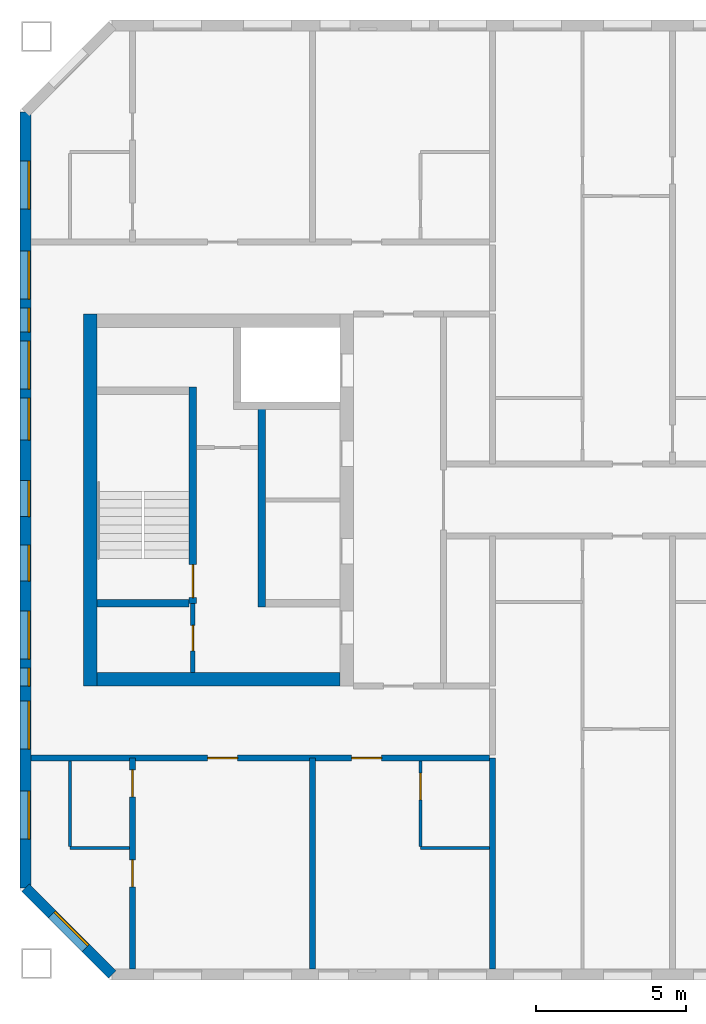
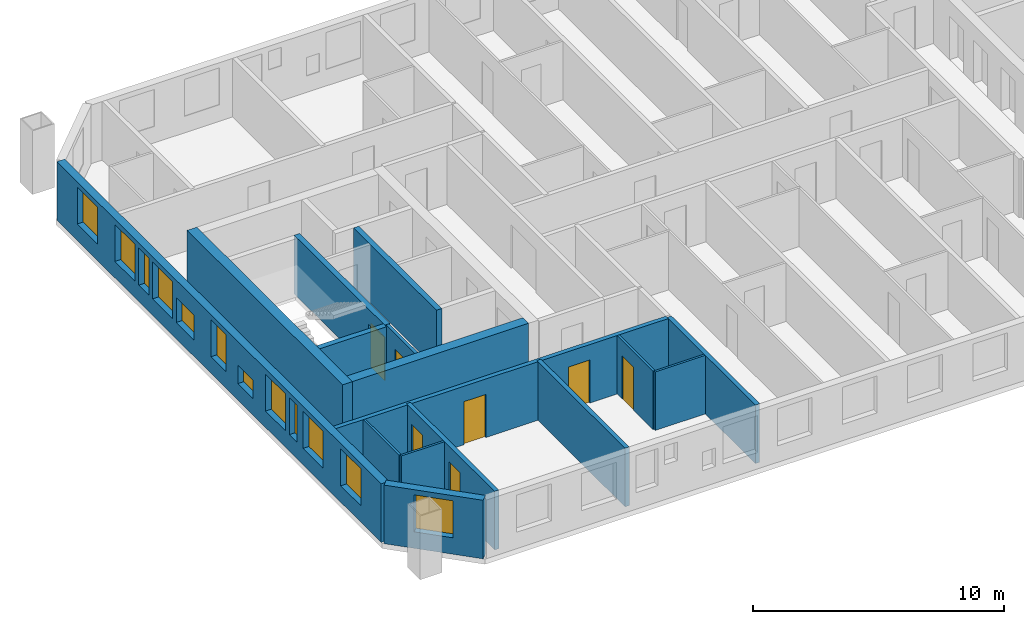
# One storey, part 2 of 16: 16 walls, 12 windows, 7 doors, 19 openings.
"""IFC4 building model written with IfcOpenShell, lengths in metres."""

import ifcopenshell
import ifcopenshell.guid

model = None  # the IFC model being written
_history = None  # IfcOwnerHistory: only IFC2X3 demands one
_inside = {}  # id of a spatial element -> (the spatial element, [elements in it])
_under = {}  # id of a project, library or spatial element -> (it, [spatial elements below it])
_declared = {}  # id of a project -> (the project, [libraries it declares])
_typed = {}  # id of a type object -> (the type object, [elements of that type])
_made_of = {}  # id of a material, layer set ... -> (it, [elements and type objects made of it])


def new_model(schema):
    """Start an empty IFC model of exactly this schema.

    Asked for "IFC4X3", IfcOpenShell would pick the latest addendum, in which some entities
    have other attributes; the version numbers below select the first issue.
    IFC2X3 requires an IfcOwnerHistory on every rooted entity: one is made here for all.
    """
    global model, _history
    if schema == "IFC4X3":
        model = ifcopenshell.file(schema_version=(4, 3, 0, 0))
    else:
        model = ifcopenshell.file(schema=schema)
    _inside.clear()
    _under.clear()
    _declared.clear()
    _typed.clear()
    _made_of.clear()
    _history = None
    if model.schema == "IFC2X3":
        org = make("IfcOrganization", Name="unknown")
        user = make(
            "IfcPersonAndOrganization",
            ThePerson=make("IfcPerson", FamilyName="unknown"),
            TheOrganization=org,
        )
        app = make(
            "IfcApplication",
            ApplicationDeveloper=org,
            Version="unknown",
            ApplicationFullName="unknown",
            ApplicationIdentifier="unknown",
        )
        _history = make(
            "IfcOwnerHistory",
            OwningUser=user,
            OwningApplication=app,
            ChangeAction="ADDED",
            CreationDate=0,
        )
    return model


def make(cls, **values):
    """One entity of the class cls with the attributes given. An attribute that is None is left unset."""
    return model.create_entity(
        cls, **{name: value for name, value in values.items() if value is not None}
    )


def rooted(cls, **values):
    """An entity with a GlobalId (a new one), such as an element, a storey or a relation."""
    return make(cls, GlobalId=ifcopenshell.guid.new(), OwnerHistory=_history, **values)


def si_unit(unit_type, name, prefix=None):
    """IfcSIUnit, for example si_unit("LENGTHUNIT", "METRE", prefix="MILLI")."""
    return make("IfcSIUnit", UnitType=unit_type, Prefix=prefix, Name=name)


def assignment(units):
    """IfcUnitAssignment: the units of a project."""
    return None if units is None else make("IfcUnitAssignment", Units=units)


def point(xyz):
    """IfcCartesianPoint."""
    return None if xyz is None else make("IfcCartesianPoint", Coordinates=xyz)


def direction(xyz):
    """IfcDirection."""
    return None if xyz is None else make("IfcDirection", DirectionRatios=xyz)


def frame(location, z_axis=None, x_axis=None):
    """IfcAxis2Placement3D, a coordinate frame: its origin and axes. An axis left out is left unset."""
    return make(
        "IfcAxis2Placement3D",
        Location=point(location),
        Axis=direction(z_axis),
        RefDirection=direction(x_axis),
    )


def frame_2d(location, x_axis=None):
    """IfcAxis2Placement2D, a coordinate frame in the plane: its origin and x axis."""
    return make(
        "IfcAxis2Placement2D", Location=point(location), RefDirection=direction(x_axis)
    )


def origin():
    """The frame at (0, 0, 0) with its axes left unset."""
    return frame((0.0, 0.0, 0.0))


def place(relative_to, where):
    """IfcLocalPlacement: puts the frame where relative to a parent placement (None: the world)."""
    return make(
        "IfcLocalPlacement", PlacementRelTo=relative_to, RelativePlacement=where
    )


def context(
    kind, dimensions, precision=None, world=None, true_north=None, identifier=None
):
    """IfcGeometricRepresentationContext, for example the 3D "Model" context."""
    return make(
        "IfcGeometricRepresentationContext",
        ContextIdentifier=identifier,
        ContextType=kind,
        CoordinateSpaceDimension=dimensions,
        Precision=precision,
        WorldCoordinateSystem=world,
        TrueNorth=true_north,
    )


def subcontext(parent, identifier, kind, view, scale=None):
    """IfcGeometricRepresentationSubContext, for example "Body" below "Model"."""
    return make(
        "IfcGeometricRepresentationSubContext",
        ContextIdentifier=identifier,
        ContextType=kind,
        ParentContext=parent,
        TargetScale=scale,
        TargetView=view,
    )


def project(units=None, contexts=None):
    """IfcProject with its units and contexts."""
    return rooted(
        "IfcProject",
        Name="project",
        RepresentationContexts=contexts,
        UnitsInContext=assignment(units),
    )


def spatial(cls, under=None, at=None, **own):
    """A site, building, storey or space (cls), placed at a placement, below another one or the project."""
    s = rooted(cls, ObjectPlacement=at, **own)
    if under is not None:
        _under.setdefault(under.id(), (under, []))[1].append(s)
    return s


def profile(cls, at=None, kind="AREA", **sizes):
    """A parametric profile (cls). Its sizes go by their IFC names, for example OverallWidth=200.0."""
    return make(cls, ProfileType=kind, Position=at, **sizes)


def rectangle(**sizes):
    """IfcRectangleProfileDef."""
    return profile("IfcRectangleProfileDef", **sizes)


def extrude(swept, where, along, depth):
    """IfcExtrudedAreaSolid: the profile swept, set in the frame where, extruded along a direction by depth."""
    return make(
        "IfcExtrudedAreaSolid",
        SweptArea=swept,
        Position=where,
        ExtrudedDirection=direction(along),
        Depth=depth,
    )


def shape(context_of_items, identifier, shape_type, items):
    """IfcShapeRepresentation: the items that make up one representation, for example the "Body"."""
    return make(
        "IfcShapeRepresentation",
        ContextOfItems=context_of_items,
        RepresentationIdentifier=identifier,
        RepresentationType=shape_type,
        Items=items,
    )


def material(Name=None, Category=None):
    """IfcMaterial."""
    return make("IfcMaterial", Name=Name, Category=Category)


def layer(
    of_material, thickness, ventilated=None, Name=None, Category=None, Priority=None
):
    """IfcMaterialLayer: one layer of a wall or slab, of a material (None: an air gap)."""
    return make(
        "IfcMaterialLayer",
        Material=of_material,
        LayerThickness=thickness,
        IsVentilated=ventilated,
        Name=Name,
        Category=Category,
        Priority=Priority,
    )


def layer_set(layers, Name=None):
    """IfcMaterialLayerSet."""
    return make("IfcMaterialLayerSet", MaterialLayers=layers, LayerSetName=Name)


def made_of(thing, what):
    """Note that an element or type object is made of a material, layer set ...; save() writes the relation."""
    if what is not None:
        _made_of.setdefault(what.id(), (what, []))[1].append(thing)
    return thing


def type_object(cls, material=None, **own):
    """A type object (cls), such as IfcWallType, which elements share."""
    return made_of(rooted(cls, **own), material)


def element(
    cls,
    number,
    at=None,
    inside=None,
    cuts=None,
    type_object=None,
    material=None,
    context=None,
    identifier="Body",
    shape_type=None,
    held_by="IfcProductDefinitionShape",
    body=None,
    shapes=None,
    **own,
):
    """One element of the class cls, such as IfcWall. Its Tag is "e" and its number.

    at: its placement. inside: the storey or other place that contains it. cuts: it is an
    opening in that element (IfcRelVoidsElement). A single representation is given by context,
    identifier, shape_type and body (its items); several are given by shapes. held_by: the class
    of the entity that holds the representations. save() writes the other relations.
    """
    e = rooted(cls, Tag="e%d" % number, ObjectPlacement=at, **own)
    if body is not None:
        shapes = [shape(context, identifier, shape_type, body)]
    if shapes is not None:
        e.Representation = make(held_by, Representations=shapes)
    if inside is not None:
        _inside.setdefault(inside.id(), (inside, []))[1].append(e)
    if cuts is not None:
        rooted(
            "IfcRelVoidsElement", RelatingBuildingElement=cuts, RelatedOpeningElement=e
        )
    if type_object is not None:
        _typed.setdefault(type_object.id(), (type_object, []))[1].append(e)
    return made_of(e, material)


def fill(opening, filler):
    """IfcRelFillsElement: the door or window that sits in an opening."""
    return rooted(
        "IfcRelFillsElement",
        RelatingOpeningElement=opening,
        RelatedBuildingElement=filler,
    )


def aggregate(whole, parts):
    """IfcRelAggregates: a whole, such as a stair, and the parts it consists of."""
    return rooted("IfcRelAggregates", RelatingObject=whole, RelatedObjects=parts)


def save(model, path):
    """Write the relations noted so far, then the file.

    IfcRelAggregates (storeys below a building ...), IfcRelContainedInSpatialStructure (elements
    in a storey), IfcRelDefinesByType, IfcRelAssociatesMaterial and IfcRelDeclares: one each for
    every whole, place, type object, material and project.
    """
    for whole, parts in _under.values():
        aggregate(whole, parts)
    for where, things in _inside.values():
        rooted(
            "IfcRelContainedInSpatialStructure",
            RelatedElements=things,
            RelatingStructure=where,
        )
    for kind, things in _typed.values():
        rooted("IfcRelDefinesByType", RelatedObjects=things, RelatingType=kind)
    for what, things in _made_of.values():
        rooted("IfcRelAssociatesMaterial", RelatedObjects=things, RelatingMaterial=what)
    for by, libraries in _declared.values():
        rooted("IfcRelDeclares", RelatingContext=by, RelatedDefinitions=libraries)
    model.write(path)


model = new_model("IFC4")

# Units and contexts
model_context = context("Model", 3, precision=1e-05, world=origin(), true_north=direction((0.0, 1.0)))
body_context = subcontext(model_context, "Body", "Model", "MODEL_VIEW")
ifc_project = project(units=[si_unit("LENGTHUNIT", "METRE"), si_unit("AREAUNIT", "SQUARE_METRE"), si_unit("VOLUMEUNIT", "CUBIC_METRE"), si_unit("PLANEANGLEUNIT", "RADIAN"), si_unit("MASSUNIT", "GRAM", prefix="KILO")], contexts=[model_context])

# Site, building, storey
site_placement = place(None, origin())
site = spatial("IfcSite", under=ifc_project, at=site_placement, CompositionType="ELEMENT")
building_placement = place(site_placement, origin())
building = spatial("IfcBuilding", under=site, at=building_placement, Name="Tuart Gate Housing", CompositionType="ELEMENT")
storey_placement = place(building_placement, frame((0.0, 0.0, 182.0)))
storey = spatial("IfcBuildingStorey", under=building, at=storey_placement, Name="L51", CompositionType="ELEMENT", Elevation=182.0)

# Wall, opening, window
ifc_material_1 = material(Name="Brick", Category="masonry")
ifc_layer_1 = layer(ifc_material_1, 0.360107421875)
ifc_layer_set_1 = layer_set([ifc_layer_1], Name="Brick pier and spandrel wall 360")
wall_type_1 = type_object("IfcWallType", Name="Brick pier and spandrel wall 360", PredefinedType="STANDARD", material=ifc_layer_set_1)
wall_1_placement = place(storey_placement, frame((30.429931640625, 57.07470703125, 0.0), z_axis=(0.0, 0.0, 1.0), x_axis=(0.707106781187, -0.707106781187, 0.0)))
wall_1 = element("IfcWall", 1, at=wall_1_placement, inside=storey, type_object=wall_type_1, Name="External wall A-SW L51", PredefinedType="STANDARD", context=body_context, shape_type="SweptSolid", body=[
    extrude(rectangle(XDim=4.09375, YDim=0.360107421875, at=frame_2d((2.046875, 0.0))), origin(), (0.0, 0.0, 1.0), 2.85009765625),
])
opening_1_placement = place(wall_1_placement, frame((1.2470703125, 0.0, 0.800048828125)))
opening_1 = element("IfcOpeningElement", 2, at=opening_1_placement, cuts=wall_1, Name="Opening W1", PredefinedType="OPENING", context=body_context, shape_type="SweptSolid", body=[
    extrude(rectangle(XDim=1.60009765625, YDim=1.800048828125, at=frame_2d((0.800048828125, 0.89990234375))), frame((0.0, 0.18994140625, 0.0), z_axis=(0.0, -1.0, 0.0), x_axis=(1.0, 0.0, 0.0)), (0.0, 0.0, 1.0), 0.380126953125),
])
ifc_material_2 = material(Name="Aluminium frame with clear glass", Category="aluminium")
window_type_1 = type_object("IfcWindowType", Name="Punched window 1600 x 1800", PartitioningType="SINGLE_PANEL", PredefinedType="WINDOW", material=ifc_material_2)
window_1_placement = place(opening_1_placement, origin())
window_1 = element("IfcWindow", 3, at=window_1_placement, inside=storey, type_object=window_type_1, Name="Window W1", OverallHeight=1.800048828125, OverallWidth=1.60009765625, PartitioningType="SINGLE_PANEL", PredefinedType="WINDOW", context=body_context, shape_type="SweptSolid", body=[
    extrude(rectangle(XDim=1.60009765625, YDim=1.800048828125, at=frame_2d((0.800048828125, 0.89990234375))), frame((0.0, 0.150146484375, 0.0), z_axis=(0.0, -1.0, 0.0), x_axis=(1.0, 0.0, 0.0)), (0.0, 0.0, 1.0), 0.06005859375),
])
fill(opening_1, window_1)

# Wall, openings, windows
wall_2_placement = place(storey_placement, frame((30.429931640625, 82.92529296875, 0.0), z_axis=(0.0, 0.0, 1.0), x_axis=(0.0, -1.0, 0.0)))
wall_2 = element("IfcWall", 4, at=wall_2_placement, inside=storey, type_object=wall_type_1, Name="External wall A-W L51", PredefinedType="STANDARD", context=body_context, shape_type="SweptSolid", body=[
    extrude(rectangle(XDim=25.850830078125, YDim=0.360107421875, at=frame_2d((12.92529296875, 0.0))), origin(), (0.0, 0.0, 1.0), 2.85009765625),
])
opening_2_placement = place(wall_2_placement, frame((1.62548828125, 0.0, 0.800048828125)))
opening_2 = element("IfcOpeningElement", 5, at=opening_2_placement, cuts=wall_2, Name="Opening W1", PredefinedType="OPENING", context=body_context, shape_type="SweptSolid", body=[
    extrude(rectangle(XDim=1.60009765625, YDim=1.800048828125, at=frame_2d((0.800048828125, 0.89990234375))), frame((0.0, 0.18994140625, 0.0), z_axis=(0.0, -1.0, 0.0), x_axis=(1.0, 0.0, 0.0)), (0.0, 0.0, 1.0), 0.380126953125),
])
opening_3_placement = place(wall_2_placement, frame((4.62548828125, 0.0, 0.800048828125)))
opening_3 = element("IfcOpeningElement", 6, at=opening_3_placement, cuts=wall_2, Name="Opening W1", PredefinedType="OPENING", context=body_context, shape_type="SweptSolid", body=[
    extrude(rectangle(XDim=1.60009765625, YDim=1.800048828125, at=frame_2d((0.800048828125, 0.89990234375))), frame((0.0, 0.18994140625, 0.0), z_axis=(0.0, -1.0, 0.0), x_axis=(1.0, 0.0, 0.0)), (0.0, 0.0, 1.0), 0.380126953125),
])
opening_4_placement = place(wall_2_placement, frame((7.62548828125, 0.0, 0.800048828125)))
opening_4 = element("IfcOpeningElement", 7, at=opening_4_placement, cuts=wall_2, Name="Opening W1", PredefinedType="OPENING", context=body_context, shape_type="SweptSolid", body=[
    extrude(rectangle(XDim=1.60009765625, YDim=1.800048828125, at=frame_2d((0.800048828125, 0.89990234375))), frame((0.0, 0.18994140625, 0.0), z_axis=(0.0, -1.0, 0.0), x_axis=(1.0, 0.0, 0.0)), (0.0, 0.0, 1.0), 0.380126953125),
])
opening_5_placement = place(wall_2_placement, frame((6.525390625, 0.0, 0.800048828125)))
opening_5 = element("IfcOpeningElement", 8, at=opening_5_placement, cuts=wall_2, Name="Opening W1D", PredefinedType="OPENING", context=body_context, shape_type="SweptSolid", body=[
    extrude(rectangle(XDim=0.800048828125, YDim=1.800048828125, at=frame_2d((0.39990234375, 0.89990234375))), frame((0.0, 0.18994140625, 0.0), z_axis=(0.0, -1.0, 0.0), x_axis=(1.0, 0.0, 0.0)), (0.0, 0.0, 1.0), 0.380126953125),
])
opening_6_placement = place(wall_2_placement, frame((9.525390625, 0.0, 0.800048828125)))
opening_6 = element("IfcOpeningElement", 9, at=opening_6_placement, cuts=wall_2, Name="Opening W1M", PredefinedType="OPENING", context=body_context, shape_type="SweptSolid", body=[
    extrude(rectangle(XDim=1.39990234375, YDim=1.199951171875, at=frame_2d((0.699951171875, 0.60009765625))), frame((0.0, 0.18994140625, 0.0), z_axis=(0.0, -1.0, 0.0), x_axis=(1.0, 0.0, 0.0)), (0.0, 0.0, 1.0), 0.380126953125),
])
opening_7_placement = place(wall_2_placement, frame((16.62548828125, 0.0, 0.800048828125)))
opening_7 = element("IfcOpeningElement", 10, at=opening_7_placement, cuts=wall_2, Name="Opening W1", PredefinedType="OPENING", context=body_context, shape_type="SweptSolid", body=[
    extrude(rectangle(XDim=1.60009765625, YDim=1.800048828125, at=frame_2d((0.800048828125, 0.89990234375))), frame((0.0, 0.18994140625, 0.0), z_axis=(0.0, -1.0, 0.0), x_axis=(1.0, 0.0, 0.0)), (0.0, 0.0, 1.0), 0.380126953125),
])
opening_8_placement = place(wall_2_placement, frame((19.62548828125, 0.0, 0.800048828125)))
opening_8 = element("IfcOpeningElement", 11, at=opening_8_placement, cuts=wall_2, Name="Opening W1", PredefinedType="OPENING", context=body_context, shape_type="SweptSolid", body=[
    extrude(rectangle(XDim=1.60009765625, YDim=1.800048828125, at=frame_2d((0.800048828125, 0.89990234375))), frame((0.0, 0.18994140625, 0.0), z_axis=(0.0, -1.0, 0.0), x_axis=(1.0, 0.0, 0.0)), (0.0, 0.0, 1.0), 0.380126953125),
])
opening_9_placement = place(wall_2_placement, frame((22.62548828125, 0.0, 0.800048828125)))
opening_9 = element("IfcOpeningElement", 12, at=opening_9_placement, cuts=wall_2, Name="Opening W1", PredefinedType="OPENING", context=body_context, shape_type="SweptSolid", body=[
    extrude(rectangle(XDim=1.60009765625, YDim=1.800048828125, at=frame_2d((0.800048828125, 0.89990234375))), frame((0.0, 0.18994140625, 0.0), z_axis=(0.0, -1.0, 0.0), x_axis=(1.0, 0.0, 0.0)), (0.0, 0.0, 1.0), 0.380126953125),
])
opening_10_placement = place(wall_2_placement, frame((12.275390625, 0.0, 0.800048828125)))
opening_10 = element("IfcOpeningElement", 13, at=opening_10_placement, cuts=wall_2, Name="Opening W1B", PredefinedType="OPENING", context=body_context, shape_type="SweptSolid", body=[
    extrude(rectangle(XDim=1.199951171875, YDim=1.800048828125, at=frame_2d((0.60009765625, 0.89990234375))), frame((0.0, 0.18994140625, 0.0), z_axis=(0.0, -1.0, 0.0), x_axis=(1.0, 0.0, 0.0)), (0.0, 0.0, 1.0), 0.380126953125),
])
opening_11_placement = place(wall_2_placement, frame((14.42529296875, 0.0, 0.800048828125)))
opening_11 = element("IfcOpeningElement", 14, at=opening_11_placement, cuts=wall_2, Name="Opening W1T", PredefinedType="OPENING", context=body_context, shape_type="SweptSolid", body=[
    extrude(rectangle(XDim=1.199951171875, YDim=0.89990234375, at=frame_2d((0.60009765625, 0.449951171875))), frame((0.0, 0.18994140625, 0.0), z_axis=(0.0, -1.0, 0.0), x_axis=(1.0, 0.0, 0.0)), (0.0, 0.0, 1.0), 0.380126953125),
])
opening_12_placement = place(wall_2_placement, frame((18.525390625, 0.0, 0.800048828125)))
opening_12 = element("IfcOpeningElement", 15, at=opening_12_placement, cuts=wall_2, Name="Opening W1E", PredefinedType="OPENING", context=body_context, shape_type="SweptSolid", body=[
    extrude(rectangle(XDim=0.60009765625, YDim=1.800048828125, at=frame_2d((0.300048828125, 0.89990234375))), frame((0.0, 0.18994140625, 0.0), z_axis=(0.0, -1.0, 0.0), x_axis=(1.0, 0.0, 0.0)), (0.0, 0.0, 1.0), 0.380126953125),
])
ifc_material_3 = material(Name="Aluminium frame with clear glass", Category="aluminium")
window_type_2 = type_object("IfcWindowType", Name="Punched window 1200 x 1800", PartitioningType="SINGLE_PANEL", PredefinedType="WINDOW", material=ifc_material_3)
window_2_placement = place(opening_10_placement, origin())
window_2 = element("IfcWindow", 16, at=window_2_placement, inside=storey, type_object=window_type_2, Name="Window W1B", OverallHeight=1.800048828125, OverallWidth=1.199951171875, PartitioningType="SINGLE_PANEL", PredefinedType="WINDOW", context=body_context, shape_type="SweptSolid", body=[
    extrude(rectangle(XDim=1.199951171875, YDim=1.800048828125, at=frame_2d((0.60009765625, 0.89990234375))), frame((0.0, 0.150146484375, 0.0), z_axis=(0.0, -1.0, 0.0), x_axis=(1.0, 0.0, 0.0)), (0.0, 0.0, 1.0), 0.06005859375),
])
fill(opening_10, window_2)
ifc_material_4 = material(Name="Aluminium frame with clear glass", Category="aluminium")
window_type_3 = type_object("IfcWindowType", Name="Punched window 1200 x 900", PartitioningType="SINGLE_PANEL", PredefinedType="WINDOW", material=ifc_material_4)
window_3_placement = place(opening_11_placement, origin())
window_3 = element("IfcWindow", 17, at=window_3_placement, inside=storey, type_object=window_type_3, Name="Window W1T", OverallHeight=0.89990234375, OverallWidth=1.199951171875, PartitioningType="SINGLE_PANEL", PredefinedType="WINDOW", context=body_context, shape_type="SweptSolid", body=[
    extrude(rectangle(XDim=1.199951171875, YDim=0.89990234375, at=frame_2d((0.60009765625, 0.449951171875))), frame((0.0, 0.150146484375, 0.0), z_axis=(0.0, -1.0, 0.0), x_axis=(1.0, 0.0, 0.0)), (0.0, 0.0, 1.0), 0.06005859375),
])
fill(opening_11, window_3)
ifc_material_5 = material(Name="Aluminium frame with clear glass", Category="aluminium")
window_type_4 = type_object("IfcWindowType", Name="Punched window 1400 x 1200", PartitioningType="SINGLE_PANEL", PredefinedType="WINDOW", material=ifc_material_5)
window_4_placement = place(opening_6_placement, origin())
window_4 = element("IfcWindow", 18, at=window_4_placement, inside=storey, type_object=window_type_4, Name="Window W1M", OverallHeight=1.199951171875, OverallWidth=1.39990234375, PartitioningType="SINGLE_PANEL", PredefinedType="WINDOW", context=body_context, shape_type="SweptSolid", body=[
    extrude(rectangle(XDim=1.39990234375, YDim=1.199951171875, at=frame_2d((0.699951171875, 0.60009765625))), frame((0.0, 0.150146484375, 0.0), z_axis=(0.0, -1.0, 0.0), x_axis=(1.0, 0.0, 0.0)), (0.0, 0.0, 1.0), 0.06005859375),
])
fill(opening_6, window_4)
window_5_placement = place(opening_2_placement, origin())
window_5 = element("IfcWindow", 19, at=window_5_placement, inside=storey, type_object=window_type_1, Name="Window W1", OverallHeight=1.800048828125, OverallWidth=1.60009765625, PartitioningType="SINGLE_PANEL", PredefinedType="WINDOW", context=body_context, shape_type="SweptSolid", body=[
    extrude(rectangle(XDim=1.60009765625, YDim=1.800048828125, at=frame_2d((0.800048828125, 0.89990234375))), frame((0.0, 0.150146484375, 0.0), z_axis=(0.0, -1.0, 0.0), x_axis=(1.0, 0.0, 0.0)), (0.0, 0.0, 1.0), 0.06005859375),
])
fill(opening_2, window_5)
window_6_placement = place(opening_3_placement, origin())
window_6 = element("IfcWindow", 20, at=window_6_placement, inside=storey, type_object=window_type_1, Name="Window W1", OverallHeight=1.800048828125, OverallWidth=1.60009765625, PartitioningType="SINGLE_PANEL", PredefinedType="WINDOW", context=body_context, shape_type="SweptSolid", body=[
    extrude(rectangle(XDim=1.60009765625, YDim=1.800048828125, at=frame_2d((0.800048828125, 0.89990234375))), frame((0.0, 0.150146484375, 0.0), z_axis=(0.0, -1.0, 0.0), x_axis=(1.0, 0.0, 0.0)), (0.0, 0.0, 1.0), 0.06005859375),
])
fill(opening_3, window_6)
window_7_placement = place(opening_4_placement, origin())
window_7 = element("IfcWindow", 21, at=window_7_placement, inside=storey, type_object=window_type_1, Name="Window W1", OverallHeight=1.800048828125, OverallWidth=1.60009765625, PartitioningType="SINGLE_PANEL", PredefinedType="WINDOW", context=body_context, shape_type="SweptSolid", body=[
    extrude(rectangle(XDim=1.60009765625, YDim=1.800048828125, at=frame_2d((0.800048828125, 0.89990234375))), frame((0.0, 0.150146484375, 0.0), z_axis=(0.0, -1.0, 0.0), x_axis=(1.0, 0.0, 0.0)), (0.0, 0.0, 1.0), 0.06005859375),
])
fill(opening_4, window_7)
window_8_placement = place(opening_7_placement, origin())
window_8 = element("IfcWindow", 22, at=window_8_placement, inside=storey, type_object=window_type_1, Name="Window W1", OverallHeight=1.800048828125, OverallWidth=1.60009765625, PartitioningType="SINGLE_PANEL", PredefinedType="WINDOW", context=body_context, shape_type="SweptSolid", body=[
    extrude(rectangle(XDim=1.60009765625, YDim=1.800048828125, at=frame_2d((0.800048828125, 0.89990234375))), frame((0.0, 0.150146484375, 0.0), z_axis=(0.0, -1.0, 0.0), x_axis=(1.0, 0.0, 0.0)), (0.0, 0.0, 1.0), 0.06005859375),
])
fill(opening_7, window_8)
window_9_placement = place(opening_8_placement, origin())
window_9 = element("IfcWindow", 23, at=window_9_placement, inside=storey, type_object=window_type_1, Name="Window W1", OverallHeight=1.800048828125, OverallWidth=1.60009765625, PartitioningType="SINGLE_PANEL", PredefinedType="WINDOW", context=body_context, shape_type="SweptSolid", body=[
    extrude(rectangle(XDim=1.60009765625, YDim=1.800048828125, at=frame_2d((0.800048828125, 0.89990234375))), frame((0.0, 0.150146484375, 0.0), z_axis=(0.0, -1.0, 0.0), x_axis=(1.0, 0.0, 0.0)), (0.0, 0.0, 1.0), 0.06005859375),
])
fill(opening_8, window_9)
window_10_placement = place(opening_9_placement, origin())
window_10 = element("IfcWindow", 24, at=window_10_placement, inside=storey, type_object=window_type_1, Name="Window W1", OverallHeight=1.800048828125, OverallWidth=1.60009765625, PartitioningType="SINGLE_PANEL", PredefinedType="WINDOW", context=body_context, shape_type="SweptSolid", body=[
    extrude(rectangle(XDim=1.60009765625, YDim=1.800048828125, at=frame_2d((0.800048828125, 0.89990234375))), frame((0.0, 0.150146484375, 0.0), z_axis=(0.0, -1.0, 0.0), x_axis=(1.0, 0.0, 0.0)), (0.0, 0.0, 1.0), 0.06005859375),
])
fill(opening_9, window_10)
ifc_material_6 = material(Name="Aluminium frame with clear glass", Category="aluminium")
window_type_5 = type_object("IfcWindowType", Name="Punched window 600 x 1800", PartitioningType="SINGLE_PANEL", PredefinedType="WINDOW", material=ifc_material_6)
window_11_placement = place(opening_12_placement, origin())
window_11 = element("IfcWindow", 25, at=window_11_placement, inside=storey, type_object=window_type_5, Name="Window W1E", OverallHeight=1.800048828125, OverallWidth=0.60009765625, PartitioningType="SINGLE_PANEL", PredefinedType="WINDOW", context=body_context, shape_type="SweptSolid", body=[
    extrude(rectangle(XDim=0.60009765625, YDim=1.800048828125, at=frame_2d((0.300048828125, 0.89990234375))), frame((0.0, 0.150146484375, 0.0), z_axis=(0.0, -1.0, 0.0), x_axis=(1.0, 0.0, 0.0)), (0.0, 0.0, 1.0), 0.06005859375),
])
fill(opening_12, window_11)
ifc_material_7 = material(Name="Aluminium frame with clear glass", Category="aluminium")
window_type_6 = type_object("IfcWindowType", Name="Punched window 800 x 1800", PartitioningType="SINGLE_PANEL", PredefinedType="WINDOW", material=ifc_material_7)
window_12_placement = place(opening_5_placement, origin())
window_12 = element("IfcWindow", 26, at=window_12_placement, inside=storey, type_object=window_type_6, Name="Window W1D", OverallHeight=1.800048828125, OverallWidth=0.800048828125, PartitioningType="SINGLE_PANEL", PredefinedType="WINDOW", context=body_context, shape_type="SweptSolid", body=[
    extrude(rectangle(XDim=0.800048828125, YDim=1.800048828125, at=frame_2d((0.39990234375, 0.89990234375))), frame((0.0, 0.150146484375, 0.0), z_axis=(0.0, -1.0, 0.0), x_axis=(1.0, 0.0, 0.0)), (0.0, 0.0, 1.0), 0.06005859375),
])
fill(opening_5, window_12)

# Wall, opening, door
ifc_material_8 = material(Name="Plasterboard partition")
ifc_layer_2 = layer(ifc_material_8, 0.14990234375)
ifc_layer_set_2 = layer_set([ifc_layer_2], Name="Core partition 150")
wall_type_2 = type_object("IfcWallType", Name="Core partition 150", PredefinedType="PARTITIONING", material=ifc_layer_set_2)
wall_3_placement = place(storey_placement, frame((36.010009765625, 66.550048828125, 0.0), z_axis=(0.0, 0.0, 1.0), x_axis=(0.0, -1.0, 0.0)))
wall_3 = element("IfcWall", 27, at=wall_3_placement, inside=storey, type_object=wall_type_2, Name="Core partition AK.10", PredefinedType="PARTITIONING", context=body_context, shape_type="SweptSolid", body=[
    extrude(rectangle(XDim=2.300048828125, YDim=0.14990234375, at=frame_2d((1.14990234375, 0.0))), origin(), (0.0, 0.0, 1.0), 2.85009765625),
])
opening_13_placement = place(wall_3_placement, frame((0.72509765625, 0.0, 0.0)))
opening_13 = element("IfcOpeningElement", 28, at=opening_13_placement, cuts=wall_3, Name="Opening D1769", PredefinedType="OPENING", context=body_context, shape_type="SweptSolid", body=[
    extrude(rectangle(XDim=0.85009765625, YDim=2.10009765625, at=frame_2d((0.425048828125, 1.050048828125))), frame((0.0, 0.0849609375, 0.0), z_axis=(0.0, -1.0, 0.0), x_axis=(1.0, 0.0, 0.0)), (0.0, 0.0, 1.0), 0.169921875),
])
ifc_material_9 = material(Name="Steel fire door", Category="steel")
door_type_1 = type_object("IfcDoorType", Name="Service door 850 x 2100 RH", OperationType="SINGLE_SWING_RIGHT", PredefinedType="DOOR", material=ifc_material_9)
door_1_placement = place(opening_13_placement, frame((0.85009765625, 0.0, 0.0), z_axis=(0.0, 0.0, 1.0), x_axis=(-1.0, 0.0, 0.0)))
door_1 = element("IfcDoor", 29, at=door_1_placement, inside=storey, type_object=door_type_1, Name="Service room door AK.ST", OperationType="SINGLE_SWING_RIGHT", OverallHeight=2.10009765625, OverallWidth=0.85009765625, PredefinedType="DOOR", context=body_context, shape_type="SweptSolid", body=[
    extrude(rectangle(XDim=0.85009765625, YDim=2.10009765625, at=frame_2d((0.425048828125, 1.050048828125))), frame((0.0, 0.025146484375, 0.0), z_axis=(0.0, -1.0, 0.0), x_axis=(1.0, 0.0, 0.0)), (0.0, 0.0, 1.0), 0.050048828125),
])
fill(opening_13, door_1)

# Walls
ifc_material_10 = material(Name="Concrete C40", Category="concrete")
ifc_layer_3 = layer(ifc_material_10, 0.25)
ifc_layer_set_3 = layer_set([ifc_layer_3], Name="Core wall 250 C40")
wall_type_3 = type_object("IfcWallType", Name="Core wall 250 C40", PredefinedType="SHEAR", material=ifc_layer_set_3)
wall_4_placement = place(storey_placement, frame((35.885009765625, 66.550048828125, 0.0), z_axis=(0.0, 0.0, 1.0), x_axis=(-1.0, 0.0, 0.0)))
element("IfcWall", 30, at=wall_4_placement, inside=storey, type_object=wall_type_3, Name="Core wall AK.6", PredefinedType="SHEAR", context=body_context, shape_type="SweptSolid", body=[
    extrude(rectangle(XDim=3.074951171875, YDim=0.25, at=frame_2d((1.53759765625, 0.0))), origin(), (0.0, 0.0, 1.0), 2.85009765625),
])
wall_5_placement = place(storey_placement, frame((38.31005859375, 73.02490234375, 0.0), z_axis=(0.0, 0.0, 1.0), x_axis=(0.0, -1.0, 0.0)))
element("IfcWall", 31, at=wall_5_placement, inside=storey, type_object=wall_type_3, Name="Core wall AK.7", PredefinedType="SHEAR", context=body_context, shape_type="SweptSolid", body=[
    extrude(rectangle(XDim=6.599853515625, YDim=0.25, at=frame_2d((3.2998046875, 0.0))), origin(), (0.0, 0.0, 1.0), 2.85009765625),
])

# Wall, opening, door
wall_6_placement = place(storey_placement, frame((36.010009765625, 73.77490234375, 0.0), z_axis=(0.0, 0.0, 1.0), x_axis=(0.0, -1.0, 0.0)))
wall_6 = element("IfcWall", 32, at=wall_6_placement, inside=storey, type_object=wall_type_3, Name="Core wall AK.9", PredefinedType="SHEAR", context=body_context, shape_type="SweptSolid", body=[
    extrude(rectangle(XDim=7.224853515625, YDim=0.25, at=frame_2d((3.6123046875, 0.0))), origin(), (0.0, 0.0, 1.0), 2.85009765625),
])
opening_14_placement = place(wall_6_placement, frame((5.925048828125, 0.0, 0.0)))
opening_14 = element("IfcOpeningElement", 33, at=opening_14_placement, cuts=wall_6, Name="Opening D1758", PredefinedType="OPENING", context=body_context, shape_type="SweptSolid", body=[
    extrude(rectangle(XDim=1.10009765625, YDim=2.10009765625, at=frame_2d((0.550048828125, 1.050048828125))), frame((0.0, 0.135009765625, 0.0), z_axis=(0.0, -1.0, 0.0), x_axis=(1.0, 0.0, 0.0)), (0.0, 0.0, 1.0), 0.27001953125),
])
ifc_material_11 = material(Name="Steel fire door", Category="steel")
door_type_2 = type_object("IfcDoorType", Name="Stair door 1100 x 2100", OperationType="SINGLE_SWING_LEFT", PredefinedType="DOOR", material=ifc_material_11)
door_2_placement = place(opening_14_placement, frame((1.10009765625, 0.0, 0.0), z_axis=(0.0, 0.0, 1.0), x_axis=(-1.0, 0.0, 0.0)))
door_2 = element("IfcDoor", 34, at=door_2_placement, inside=storey, type_object=door_type_2, Name="Stair door AK.SD", OperationType="SINGLE_SWING_LEFT", OverallHeight=2.10009765625, OverallWidth=1.10009765625, PredefinedType="DOOR", context=body_context, shape_type="SweptSolid", body=[
    extrude(rectangle(XDim=1.10009765625, YDim=2.10009765625, at=frame_2d((0.550048828125, 1.050048828125))), frame((0.0, 0.025146484375, 0.0), z_axis=(0.0, -1.0, 0.0), x_axis=(1.0, 0.0, 0.0)), (0.0, 0.0, 1.0), 0.050048828125),
])
fill(opening_14, door_2)

# Walls
ifc_material_12 = material(Name="Concrete C40", Category="concrete")
ifc_layer_4 = layer(ifc_material_12, 0.449951171875)
ifc_layer_set_4 = layer_set([ifc_layer_4], Name="Core wall 450 C40")
wall_type_4 = type_object("IfcWallType", Name="Core wall 450 C40", PredefinedType="SHEAR", material=ifc_layer_set_4)
wall_7_placement = place(storey_placement, frame((32.5849609375, 76.199951171875, 0.0), z_axis=(0.0, 0.0, 1.0), x_axis=(0.0, -1.0, 0.0)))
element("IfcWall", 35, at=wall_7_placement, inside=storey, type_object=wall_type_4, Name="Core wall AK back", PredefinedType="SHEAR", context=body_context, shape_type="SweptSolid", body=[
    extrude(rectangle(XDim=12.39990234375, YDim=0.449951171875, at=frame_2d((6.199951171875, 0.0))), origin(), (0.0, 0.0, 1.0), 2.85009765625),
])
wall_8_placement = place(storey_placement, frame((40.909912109375, 64.02490234375, 0.0), z_axis=(0.0, 0.0, 1.0), x_axis=(-1.0, 0.0, 0.0)))
element("IfcWall", 36, at=wall_8_placement, inside=storey, type_object=wall_type_4, Name="Core wall AK north", PredefinedType="SHEAR", context=body_context, shape_type="SweptSolid", body=[
    extrude(rectangle(XDim=8.099853515625, YDim=0.449951171875, at=frame_2d((4.0498046875, 0.0))), origin(), (0.0, 0.0, 1.0), 2.85009765625),
])

# Wall, openings, doors
ifc_material_13 = material(Name="Concrete masonry 15 MPa", Category="masonry")
ifc_layer_5 = layer(ifc_material_13, 0.199951171875)
ifc_layer_set_5 = layer_set([ifc_layer_5], Name="Corridor wall masonry 200")
wall_type_5 = type_object("IfcWallType", Name="Corridor wall masonry 200", PredefinedType="PARTITIONING", material=ifc_layer_set_5)
wall_9_placement = place(storey_placement, frame((30.610107421875, 61.39990234375, 0.0), z_axis=(0.0, 0.0, 1.0), x_axis=(1.0, 0.0, 0.0)))
wall_9 = element("IfcWall", 37, at=wall_9_placement, inside=storey, type_object=wall_type_5, Name="Corridor wall masonry 200", PredefinedType="PARTITIONING", context=body_context, shape_type="SweptSolid", body=[
    extrude(rectangle(XDim=15.289794921875, YDim=0.199951171875, at=frame_2d((7.64501953125, 0.0))), origin(), (0.0, 0.0, 1.0), 2.85009765625),
])
opening_15_placement = place(wall_9_placement, frame((10.68994140625, 0.0, 0.0)))
opening_15 = element("IfcOpeningElement", 38, at=opening_15_placement, cuts=wall_9, Name="Opening D1781", PredefinedType="OPENING", context=body_context, shape_type="SweptSolid", body=[
    extrude(rectangle(XDim=1.0, YDim=2.10009765625, at=frame_2d((0.5, 1.050048828125))), frame((0.0, 0.10986328125, 0.0), z_axis=(0.0, -1.0, 0.0), x_axis=(1.0, 0.0, 0.0)), (0.0, 0.0, 1.0), 0.219970703125),
])
opening_16_placement = place(wall_9_placement, frame((5.889892578125, 0.0, 0.0)))
opening_16 = element("IfcOpeningElement", 39, at=opening_16_placement, cuts=wall_9, Name="Opening D1782", PredefinedType="OPENING", context=body_context, shape_type="SweptSolid", body=[
    extrude(rectangle(XDim=1.0, YDim=2.10009765625, at=frame_2d((0.5, 1.050048828125))), frame((0.0, 0.10986328125, 0.0), z_axis=(0.0, -1.0, 0.0), x_axis=(1.0, 0.0, 0.0)), (0.0, 0.0, 1.0), 0.219970703125),
])
ifc_material_14 = material(Name="Timber door leaf in steel frame", Category="steel")
door_type_3 = type_object("IfcDoorType", Name="Flat entrance door 1000 RH", OperationType="SINGLE_SWING_RIGHT", PredefinedType="DOOR", material=ifc_material_14)
door_3_placement = place(opening_15_placement, frame((1.0, 0.0, 0.0), z_axis=(0.0, 0.0, 1.0), x_axis=(-1.0, 0.0, 0.0)))
door_3 = element("IfcDoor", 40, at=door_3_placement, inside=storey, type_object=door_type_3, Name="Flat entrance door", OperationType="SINGLE_SWING_RIGHT", OverallHeight=2.10009765625, OverallWidth=1.0, PredefinedType="DOOR", context=body_context, shape_type="SweptSolid", body=[
    extrude(rectangle(XDim=1.0, YDim=2.10009765625, at=frame_2d((0.5, 1.050048828125))), frame((0.0, 0.025146484375, 0.0), z_axis=(0.0, -1.0, 0.0), x_axis=(1.0, 0.0, 0.0)), (0.0, 0.0, 1.0), 0.050048828125),
])
fill(opening_15, door_3)
door_4_placement = place(opening_16_placement, frame((1.0, 0.0, 0.0), z_axis=(0.0, 0.0, 1.0), x_axis=(-1.0, 0.0, 0.0)))
door_4 = element("IfcDoor", 41, at=door_4_placement, inside=storey, type_object=door_type_3, Name="Flat entrance door", OperationType="SINGLE_SWING_RIGHT", OverallHeight=2.10009765625, OverallWidth=1.0, PredefinedType="DOOR", context=body_context, shape_type="SweptSolid", body=[
    extrude(rectangle(XDim=1.0, YDim=2.10009765625, at=frame_2d((0.5, 1.050048828125))), frame((0.0, 0.025146484375, 0.0), z_axis=(0.0, -1.0, 0.0), x_axis=(1.0, 0.0, 0.0)), (0.0, 0.0, 1.0), 0.050048828125),
])
fill(opening_16, door_4)

# Walls
ifc_material_15 = material(Name="Gypsum board on steel studs", Category="steel")
ifc_layer_6 = layer(ifc_material_15, 0.10009765625)
ifc_layer_set_6 = layer_set([ifc_layer_6], Name="Partition 100")
wall_type_6 = type_object("IfcWallType", Name="Partition 100", PredefinedType="PARTITIONING", material=ifc_layer_set_6)
wall_10_placement = place(storey_placement, frame((31.909912109375, 58.39990234375, 0.0), z_axis=(0.0, 0.0, 1.0), x_axis=(1.0, 0.0, 0.0)))
element("IfcWall", 42, at=wall_10_placement, inside=storey, type_object=wall_type_6, Name="Partition 100", PredefinedType="PARTITIONING", context=body_context, shape_type="SweptSolid", body=[
    extrude(rectangle(XDim=1.989990234375, YDim=0.10009765625, at=frame_2d((0.9951171875, 0.0))), origin(), (0.0, 0.0, 1.0), 2.85009765625),
])
wall_11_placement = place(storey_placement, frame((43.60009765625, 58.39990234375, 0.0), z_axis=(0.0, 0.0, 1.0), x_axis=(1.0, 0.0, 0.0)))
element("IfcWall", 43, at=wall_11_placement, inside=storey, type_object=wall_type_6, Name="Partition 100", PredefinedType="PARTITIONING", context=body_context, shape_type="SweptSolid", body=[
    extrude(rectangle(XDim=2.2998046875, YDim=0.10009765625, at=frame_2d((1.14990234375, 0.0))), origin(), (0.0, 0.0, 1.0), 2.85009765625),
])
wall_12_placement = place(storey_placement, frame((31.909912109375, 58.449951171875, 0.0), z_axis=(0.0, 0.0, 1.0), x_axis=(0.0, 1.0, 0.0)))
element("IfcWall", 44, at=wall_12_placement, inside=storey, type_object=wall_type_6, Name="Partition 100", PredefinedType="PARTITIONING", context=body_context, shape_type="SweptSolid", body=[
    extrude(rectangle(XDim=2.85009765625, YDim=0.10009765625, at=frame_2d((1.425048828125, 0.0))), origin(), (0.0, 0.0, 1.0), 2.85009765625),
])

# Wall, opening, door
wall_13_placement = place(storey_placement, frame((43.60009765625, 58.449951171875, 0.0), z_axis=(0.0, 0.0, 1.0), x_axis=(0.0, 1.0, 0.0)))
wall_13 = element("IfcWall", 45, at=wall_13_placement, inside=storey, type_object=wall_type_6, Name="Partition 100", PredefinedType="PARTITIONING", context=body_context, shape_type="SweptSolid", body=[
    extrude(rectangle(XDim=2.85009765625, YDim=0.10009765625, at=frame_2d((1.425048828125, 0.0))), origin(), (0.0, 0.0, 1.0), 2.85009765625),
])
opening_17_placement = place(wall_13_placement, frame((1.550048828125, 0.0, 0.0)))
opening_17 = element("IfcOpeningElement", 46, at=opening_17_placement, cuts=wall_13, Name="Opening D1785", PredefinedType="OPENING", context=body_context, shape_type="SweptSolid", body=[
    extrude(rectangle(XDim=0.89990234375, YDim=2.10009765625, at=frame_2d((0.449951171875, 1.050048828125))), frame((0.0, 0.06005859375, 0.0), z_axis=(0.0, -1.0, 0.0), x_axis=(1.0, 0.0, 0.0)), (0.0, 0.0, 1.0), 0.1201171875),
])
ifc_material_16 = material(Name="Timber door leaf in steel frame", Category="steel")
door_type_4 = type_object("IfcDoorType", Name="Bathroom door 900", OperationType="SINGLE_SWING_LEFT", PredefinedType="DOOR", material=ifc_material_16)
door_5_placement = place(opening_17_placement, frame((0.89990234375, 0.0, 0.0), z_axis=(0.0, 0.0, 1.0), x_axis=(-1.0, 0.0, 0.0)))
door_5 = element("IfcDoor", 47, at=door_5_placement, inside=storey, type_object=door_type_4, Name="Bathroom door", OperationType="SINGLE_SWING_LEFT", OverallHeight=2.10009765625, OverallWidth=0.89990234375, PredefinedType="DOOR", context=body_context, shape_type="SweptSolid", body=[
    extrude(rectangle(XDim=0.89990234375, YDim=2.10009765625, at=frame_2d((0.449951171875, 1.050048828125))), frame((0.0, 0.025146484375, 0.0), z_axis=(0.0, -1.0, 0.0), x_axis=(1.0, 0.0, 0.0)), (0.0, 0.0, 1.0), 0.050048828125),
])
fill(opening_17, door_5)

# Wall, openings, doors
ifc_material_17 = material(Name="Concrete C40", Category="concrete")
ifc_layer_7 = layer(ifc_material_17, 0.199951171875)
ifc_layer_set_7 = layer_set([ifc_layer_7], Name="Party wall concrete C40 200")
wall_type_7 = type_object("IfcWallType", Name="Party wall concrete C40 200", PredefinedType="SOLIDWALL", material=ifc_layer_set_7)
wall_14_placement = place(storey_placement, frame((34.0, 54.360107421875, 0.0), z_axis=(0.0, 0.0, 1.0), x_axis=(0.0, 1.0, 0.0)))
wall_14 = element("IfcWall", 48, at=wall_14_placement, inside=storey, type_object=wall_type_7, Name="Party wall concrete C40 200", PredefinedType="SOLIDWALL", context=body_context, shape_type="SweptSolid", body=[
    extrude(rectangle(XDim=7.039794921875, YDim=0.199951171875, at=frame_2d((3.52001953125, 0.0))), origin(), (0.0, 0.0, 1.0), 2.85009765625),
])
opening_18_placement = place(wall_14_placement, frame((2.739990234375, 0.0, 0.0)))
opening_18 = element("IfcOpeningElement", 49, at=opening_18_placement, cuts=wall_14, Name="Opening D1790", PredefinedType="OPENING", context=body_context, shape_type="SweptSolid", body=[
    extrude(rectangle(XDim=0.89990234375, YDim=2.10009765625, at=frame_2d((0.449951171875, 1.050048828125))), frame((0.0, 0.10986328125, 0.0), z_axis=(0.0, -1.0, 0.0), x_axis=(1.0, 0.0, 0.0)), (0.0, 0.0, 1.0), 0.219970703125),
])
opening_19_placement = place(wall_14_placement, frame((5.739990234375, 0.0, 0.0)))
opening_19 = element("IfcOpeningElement", 50, at=opening_19_placement, cuts=wall_14, Name="Opening D1789", PredefinedType="OPENING", context=body_context, shape_type="SweptSolid", body=[
    extrude(rectangle(XDim=0.89990234375, YDim=2.10009765625, at=frame_2d((0.449951171875, 1.050048828125))), frame((0.0, 0.10986328125, 0.0), z_axis=(0.0, -1.0, 0.0), x_axis=(1.0, 0.0, 0.0)), (0.0, 0.0, 1.0), 0.219970703125),
])
ifc_material_18 = material(Name="Timber door leaf in steel frame", Category="steel")
door_type_5 = type_object("IfcDoorType", Name="Bathroom door 900 RH", OperationType="SINGLE_SWING_RIGHT", PredefinedType="DOOR", material=ifc_material_18)
door_6_placement = place(opening_19_placement, origin())
door_6 = element("IfcDoor", 51, at=door_6_placement, inside=storey, type_object=door_type_5, Name="Bathroom door", OperationType="SINGLE_SWING_RIGHT", OverallHeight=2.10009765625, OverallWidth=0.89990234375, PredefinedType="DOOR", context=body_context, shape_type="SweptSolid", body=[
    extrude(rectangle(XDim=0.89990234375, YDim=2.10009765625, at=frame_2d((0.449951171875, 1.050048828125))), frame((0.0, 0.02490234375, 0.0), z_axis=(0.0, -1.0, 0.0), x_axis=(1.0, 0.0, 0.0)), (0.0, 0.0, 1.0), 0.050048828125),
])
fill(opening_19, door_6)
ifc_material_19 = material(Name="Timber door leaf in steel frame", Category="steel")
door_type_6 = type_object("IfcDoorType", Name="Internal door 900 RH", OperationType="SINGLE_SWING_RIGHT", PredefinedType="DOOR", material=ifc_material_19)
door_7_placement = place(opening_18_placement, origin())
door_7 = element("IfcDoor", 52, at=door_7_placement, inside=storey, type_object=door_type_6, Name="Internal door", OperationType="SINGLE_SWING_RIGHT", OverallHeight=2.10009765625, OverallWidth=0.89990234375, PredefinedType="DOOR", context=body_context, shape_type="SweptSolid", body=[
    extrude(rectangle(XDim=0.89990234375, YDim=2.10009765625, at=frame_2d((0.449951171875, 1.050048828125))), frame((0.0, 0.02490234375, 0.0), z_axis=(0.0, -1.0, 0.0), x_axis=(1.0, 0.0, 0.0)), (0.0, 0.0, 1.0), 0.050048828125),
])
fill(opening_18, door_7)

# Walls
for number, where, z_axis, x_axis, name in (
    (53, (40.0, 54.360107421875, 0.0), (0.0, 0.0, 1.0), (0.0, 1.0, 0.0), "Party wall concrete C40 200"),
    (54, (46.0, 54.360107421875, 0.0), (0.0, 0.0, 1.0), (0.0, 1.0, 0.0), "Party wall concrete C40 200"),
):
    element("IfcWall", number, at=place(storey_placement, frame(where, z_axis=z_axis, x_axis=x_axis)), inside=storey, type_object=wall_type_7, Name=name, PredefinedType="SOLIDWALL", context=body_context, shape_type="SweptSolid", body=[
        extrude(rectangle(XDim=7.039794921875, YDim=0.199951171875, at=frame_2d((3.52001953125, 0.0))), origin(), (0.0, 0.0, 1.0), 2.85009765625),
    ])

save(model, "model.ifc")
